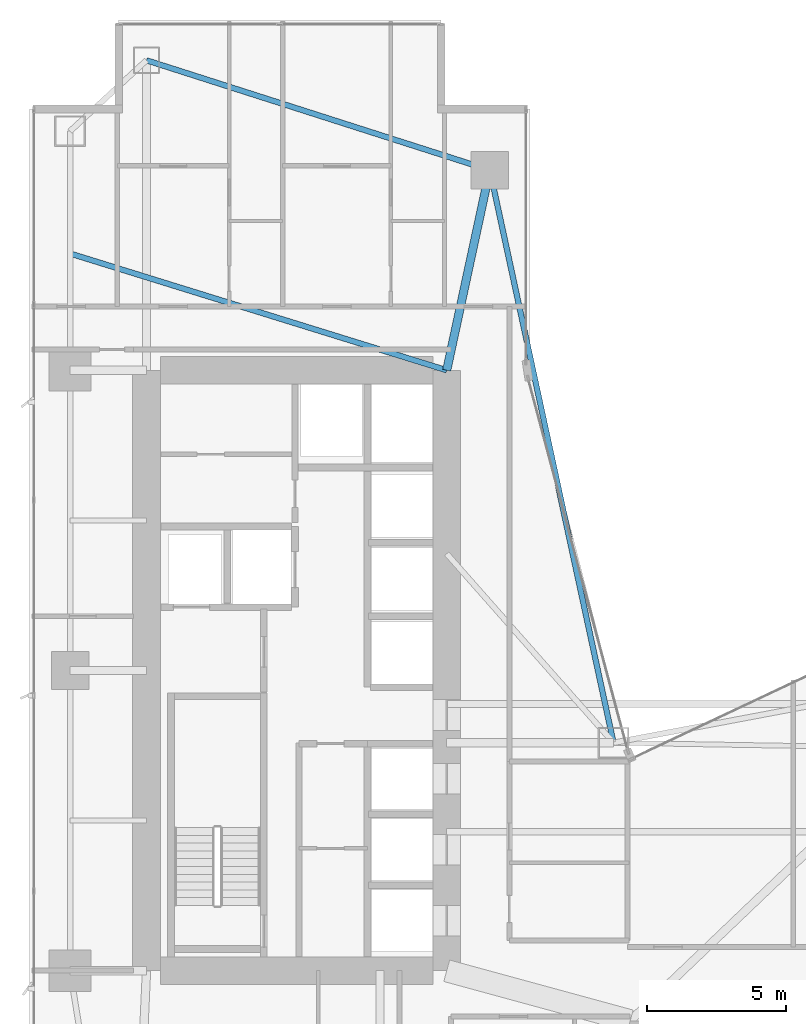
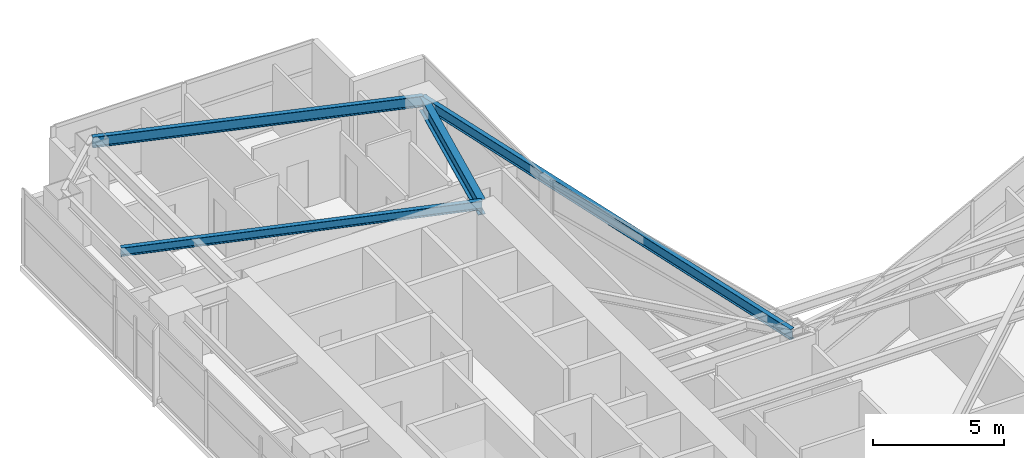
# One storey, part 17 of 29: 4 beams.
"""IFC4 building model written with IfcOpenShell, lengths in metres."""

from ifc_helpers import new_model, si_unit, direction, frame, origin, origin_2d, place, context, subcontext, project, spatial, i_section, extrude, material, material_profile, profile_set, type_object, element, save


model = new_model("IFC4")

# Units and contexts
model_context = context("Model", 3, precision=1e-05, world=origin(), true_north=direction((0.0, 1.0)))
body_context = subcontext(model_context, "Body", "Model", "MODEL_VIEW")
ifc_project = project(units=[si_unit("LENGTHUNIT", "METRE"), si_unit("AREAUNIT", "SQUARE_METRE"), si_unit("VOLUMEUNIT", "CUBIC_METRE"), si_unit("PLANEANGLEUNIT", "RADIAN"), si_unit("MASSUNIT", "GRAM", prefix="KILO")], contexts=[model_context])

# Site, building, storey
site_placement = place(None, origin())
site = spatial("IfcSite", under=ifc_project, at=site_placement, CompositionType="ELEMENT")
building_placement = place(site_placement, origin())
building = spatial("IfcBuilding", under=site, at=building_placement, Name="Calvorn Quay Hotel", CompositionType="ELEMENT")
storey_placement = place(building_placement, frame((0.0, 0.0, 62.199951171875)))
storey = spatial("IfcBuildingStorey", under=building, at=storey_placement, Name="L14", CompositionType="ELEMENT", Elevation=62.199951171875)

# Beams
ifc_material_1 = material(Name="Steel Q390GJC", Category="steel")
ifc_material_profile_1 = material_profile(ifc_material_1, i_section(OverallWidth=0.300048828125, OverallDepth=0.699951171875, WebThickness=0.012939453125, FlangeThickness=0.02392578125, FilletRadius=0.02392578125, at=origin_2d()), Name="HN700x300x13x24")
ifc_profile_set_1 = profile_set([ifc_material_profile_1], Name="Steel Q390GJC")
beam_type_1 = type_object("IfcBeamType", Name="BM-GIRD-MAIN", PredefinedType="BEAM", material=ifc_profile_set_1)
beam_1_placement = place(storey_placement, frame((16.550048828125, 45.60009765625, 3.18994140625), z_axis=(-0.210457140491, -0.97760308511, 0.0), x_axis=(0.97760308511, -0.210457140491, 0.0)))
element("IfcBeam", 1, at=beam_1_placement, inside=storey, type_object=beam_type_1, Name="Beam BG-L14-W6", PredefinedType="BEAM", context=body_context, shape_type="SweptSolid", body=[
    extrude(i_section(OverallWidth=0.300048828125, OverallDepth=0.699951171875, WebThickness=0.012939453125, FlangeThickness=0.02392578125, FilletRadius=0.02392578125, at=origin_2d()), origin(), (0.0, 0.0, 1.0), 7.365234375),
])
ifc_material_2 = material(Name="Steel Q355B", Category="steel")
ifc_material_profile_2 = material_profile(ifc_material_2, i_section(OverallWidth=0.199951171875, OverallDepth=0.39990234375, WebThickness=0.008056640625, FlangeThickness=0.012939453125, FilletRadius=0.01611328125, at=origin_2d()), Name="HN400x200x8x13")
ifc_profile_set_2 = profile_set([ifc_material_profile_2], Name="Steel Q355B")
beam_type_2 = type_object("IfcBeamType", Name="BM-JOIST-TYP", PredefinedType="JOIST", material=ifc_profile_set_2)
beam_2_placement = place(storey_placement, frame((1.449951171875, 42.60009765625, 3.340087890625), z_axis=(0.955163702122, -0.296078202759, 0.0), x_axis=(0.296078202759, 0.955163702122, 0.0)))
element("IfcBeam", 2, at=beam_2_placement, inside=storey, type_object=beam_type_2, Name="Beam BJ-L14-W2", PredefinedType="JOIST", context=body_context, shape_type="SweptSolid", body=[
    extrude(i_section(OverallWidth=0.199951171875, OverallDepth=0.39990234375, WebThickness=0.008056640625, FlangeThickness=0.012939453125, FilletRadius=0.01611328125, at=origin_2d()), origin(), (0.0, 0.0, 1.0), 14.18603515625),
])
ifc_material_3 = material(Name="Steel Q355B", Category="steel")
ifc_material_profile_3 = material_profile(ifc_material_3, i_section(OverallWidth=0.199951171875, OverallDepth=0.5, WebThickness=0.010009765625, FlangeThickness=0.01611328125, FilletRadius=0.01611328125, at=origin_2d()), Name="HN500x200x10x16")
ifc_profile_set_3 = profile_set([ifc_material_profile_3], Name="Steel Q355B")
beam_type_3 = type_object("IfcBeamType", Name="BM-SPANDREL-Z1", PredefinedType="SPANDREL", material=ifc_profile_set_3)
beam_3_placement = place(storey_placement, frame((4.199951171875, 49.550048828125, 3.2900390625), z_axis=(0.952470702374, -0.304630203885, 0.0), x_axis=(0.304630203885, 0.952470702374, 0.0)))
element("IfcBeam", 3, at=beam_3_placement, inside=storey, type_object=beam_type_3, Name="Beam BSP-L14-W6", PredefinedType="SPANDREL", context=body_context, shape_type="SweptSolid", body=[
    extrude(i_section(OverallWidth=0.199951171875, OverallDepth=0.5, WebThickness=0.010009765625, FlangeThickness=0.01611328125, FilletRadius=0.01611328125, at=origin_2d()), origin(), (0.0, 0.0, 1.0), 12.96630859375),
])
beam_4_placement = place(storey_placement, frame((16.550048828125, 45.60009765625, 3.2900390625), z_axis=(0.211145848376, -0.977454567084, 0.0), x_axis=(0.977454567084, 0.211145848376, 0.0)))
element("IfcBeam", 4, at=beam_4_placement, inside=storey, type_object=beam_type_3, Name="Beam BSP-L14-W7", PredefinedType="SPANDREL", context=body_context, shape_type="SweptSolid", body=[
    extrude(i_section(OverallWidth=0.199951171875, OverallDepth=0.5, WebThickness=0.010009765625, FlangeThickness=0.01611328125, FilletRadius=0.01611328125, at=origin_2d()), origin(), (0.0, 0.0, 1.0), 21.0751953125),
])

save(model, "model.ifc")
